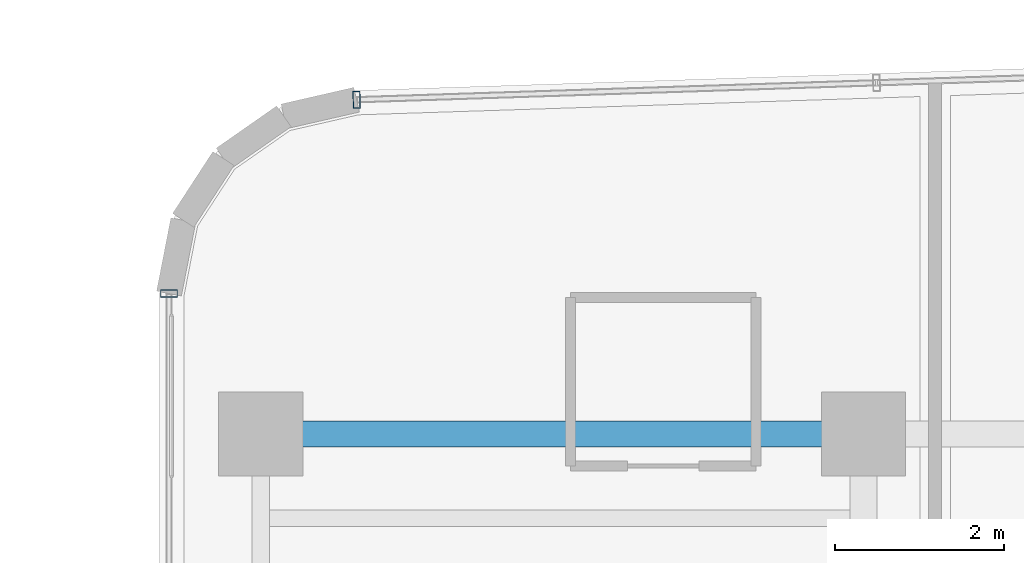
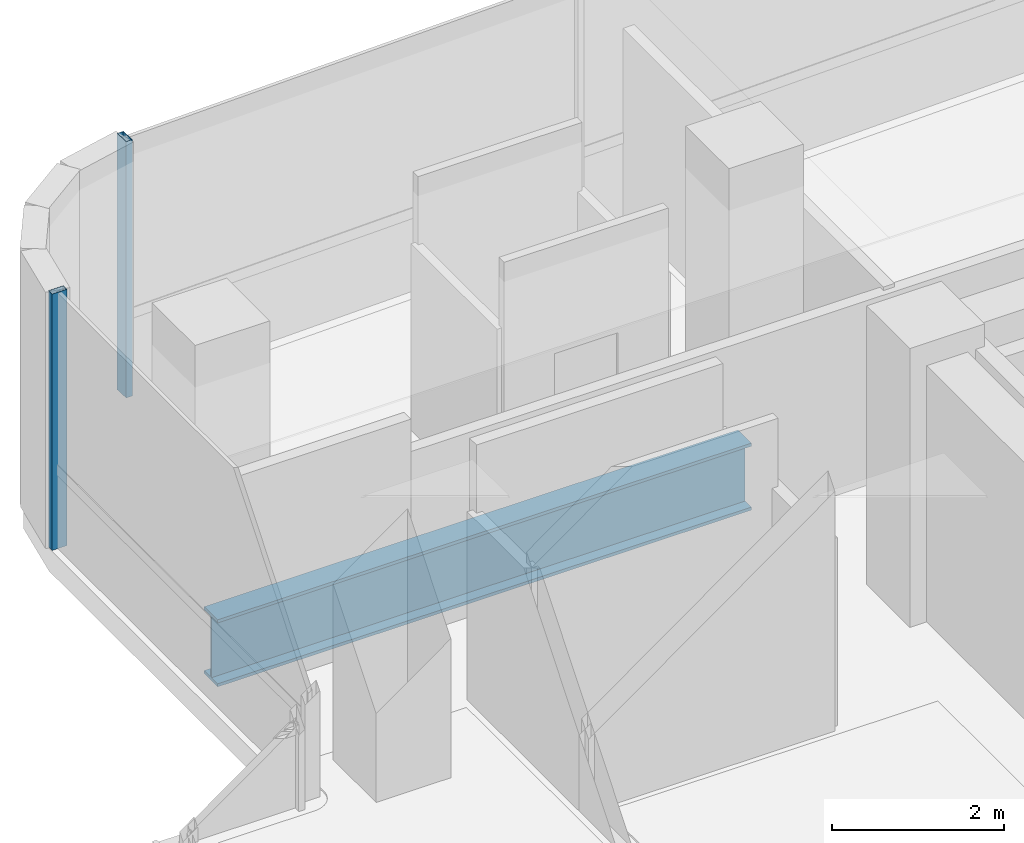
# One storey, part 17 of 36: 2 members, 1 beam, 2 elements without a shape of their own.
"""IFC4 building model written with IfcOpenShell, lengths in metres."""

from ifc_helpers import new_model, si_unit, direction, frame, origin, origin_2d, place, context, subcontext, project, spatial, hollow_rectangle, i_section, extrude, source, transform, mapped, material, material_profile, profile_set, type_object, element, aggregate, save


model = new_model("IFC4")

# Units and contexts
model_context = context("Model", 3, precision=1e-05, world=origin(), true_north=direction((0.0, 1.0)))
body_context = subcontext(model_context, "Body", "Model", "MODEL_VIEW")
ifc_project = project(units=[si_unit("LENGTHUNIT", "METRE"), si_unit("AREAUNIT", "SQUARE_METRE"), si_unit("VOLUMEUNIT", "CUBIC_METRE"), si_unit("PLANEANGLEUNIT", "RADIAN"), si_unit("MASSUNIT", "GRAM", prefix="KILO")], contexts=[model_context])

# Site, building, storey
site_placement = place(None, origin())
site = spatial("IfcSite", under=ifc_project, at=site_placement, CompositionType="ELEMENT")
building_placement = place(site_placement, origin())
building = spatial("IfcBuilding", under=site, at=building_placement, Name="Valdorenza Pilgrim Sanctuary Tower", CompositionType="ELEMENT")
storey_placement = place(building_placement, frame((0.0, 0.0, 176.550048828125)))
storey = spatial("IfcBuildingStorey", under=building, at=storey_placement, Name="L45", CompositionType="ELEMENT", Elevation=176.550048828125)

# Beam
ifc_material_1 = material(Name="Steel ASTM A992 Grade 50", Category="steel")
ifc_material_profile_1 = material_profile(ifc_material_1, i_section(OverallWidth=0.31005859375, OverallDepth=0.949951171875, WebThickness=0.0244140625, FlangeThickness=0.0439453125, at=origin_2d()), Name="W36X256")
ifc_profile_set_1 = profile_set([ifc_material_profile_1], Name="Steel ASTM A992 Grade 50")
beam_type = type_object("IfcBeamType", Name="STR-BM-GRD-W36B", PredefinedType="BEAM", material=ifc_profile_set_1)
shared_shape_1 = source(origin(), body_context, "Body", "SweptSolid", [
    extrude(i_section(OverallWidth=0.31005859375, OverallDepth=0.949951171875, WebThickness=0.0244140625, FlangeThickness=0.0439453125, at=origin_2d()), origin(), (0.0, 0.0, 1.0), 7.150146484375),
])
beam_placement = place(storey_placement, frame((-29.800048828125, 14.800048828125, -0.795166015625), z_axis=(1.0, 0.0, 0.0), x_axis=(0.0, 1.0, 0.0)))
element("IfcBeam", 1, at=beam_placement, inside=storey, type_object=beam_type, Name="L45 Floor Girder WA-XW-N2", PredefinedType="BEAM", context=body_context, shape_type="MappedRepresentation", body=[
    mapped(shared_shape_1, transform((0.0, 0.0, 0.0), x_axis=(1.0, 0.0, 0.0), y_axis=(0.0, 1.0, 0.0), z_axis=(0.0, 0.0, 1.0), scale=1.0)),
])

# Curtain wall, member
ifc_material_2 = material(Name="Curtain-wall IGU glazing", Category="glass")
curtain_wall_type = type_object("IfcCurtainWallType", Name="CW-SYS-02", PredefinedType="NOTDEFINED", material=ifc_material_2)
curtain_wall_1_placement = place(storey_placement, origin())
curtain_wall_1 = element("IfcCurtainWall", 2, at=curtain_wall_1_placement, inside=storey, type_object=curtain_wall_type, Name="L45 Curtain Wall CW-L45-1-1S2", PredefinedType="NOTDEFINED")
ifc_material_3 = material(Name="Anodised aluminium AW-6060", Category="aluminium")
ifc_material_profile_2 = material_profile(ifc_material_3, hollow_rectangle(XDim=0.0849609375, YDim=0.199951171875, WallThickness=0.0048828125, at=origin_2d()), Name="ALU-M 200x85x5")
ifc_profile_set_2 = profile_set([ifc_material_profile_2], Name="Anodised aluminium AW-6060")
member_type = type_object("IfcMemberType", Name="CW-MUL-02", PredefinedType="MULLION", material=ifc_profile_set_2)
shared_shape_2 = source(origin(), body_context, "Body", "SweptSolid", [
    extrude(hollow_rectangle(XDim=0.0849609375, YDim=0.199951171875, WallThickness=0.0048828125, at=origin_2d()), origin(), (0.0, 0.0, 1.0), 3.6298828125),
])
member_1_placement = place(storey_placement, frame((-30.889892578125, 16.46630859375, 0.0), z_axis=(0.0, 0.0, 1.0), x_axis=(0.0, 1.0, 0.0)))
member_1 = element("IfcMember", 3, at=member_1_placement, type_object=member_type, Name="CW-L45-1-1S2 Mullion 2", PredefinedType="MULLION", context=body_context, shape_type="MappedRepresentation", body=[
    mapped(shared_shape_2, transform((0.0, 0.0, 0.0), x_axis=(1.0, 0.0, 0.0), y_axis=(0.0, 1.0, 0.0), z_axis=(0.0, 0.0, 1.0), scale=1.0)),
])
aggregate(curtain_wall_1, [member_1])

curtain_wall_2_placement = place(storey_placement, origin())
curtain_wall_2 = element("IfcCurtainWall", 4, at=curtain_wall_2_placement, inside=storey, type_object=curtain_wall_type, Name="L45 Curtain Wall CW-L45-1-6", PredefinedType="NOTDEFINED")
member_2_placement = place(storey_placement, frame((-28.663818359375, 18.76611328125, 0.0), z_axis=(0.0, 0.0, 1.0), x_axis=(0.999470282811, 0.032544642846, 0.0)))
member_2 = element("IfcMember", 5, at=member_2_placement, type_object=member_type, Name="CW-L45-1-6 Mullion 1", PredefinedType="MULLION", context=body_context, shape_type="MappedRepresentation", body=[
    mapped(shared_shape_2, transform((0.0, 0.0, 0.0), x_axis=(1.0, 0.0, 0.0), y_axis=(0.0, 1.0, 0.0), z_axis=(0.0, 0.0, 1.0), scale=1.0)),
])
aggregate(curtain_wall_2, [member_2])

save(model, "model.ifc")
